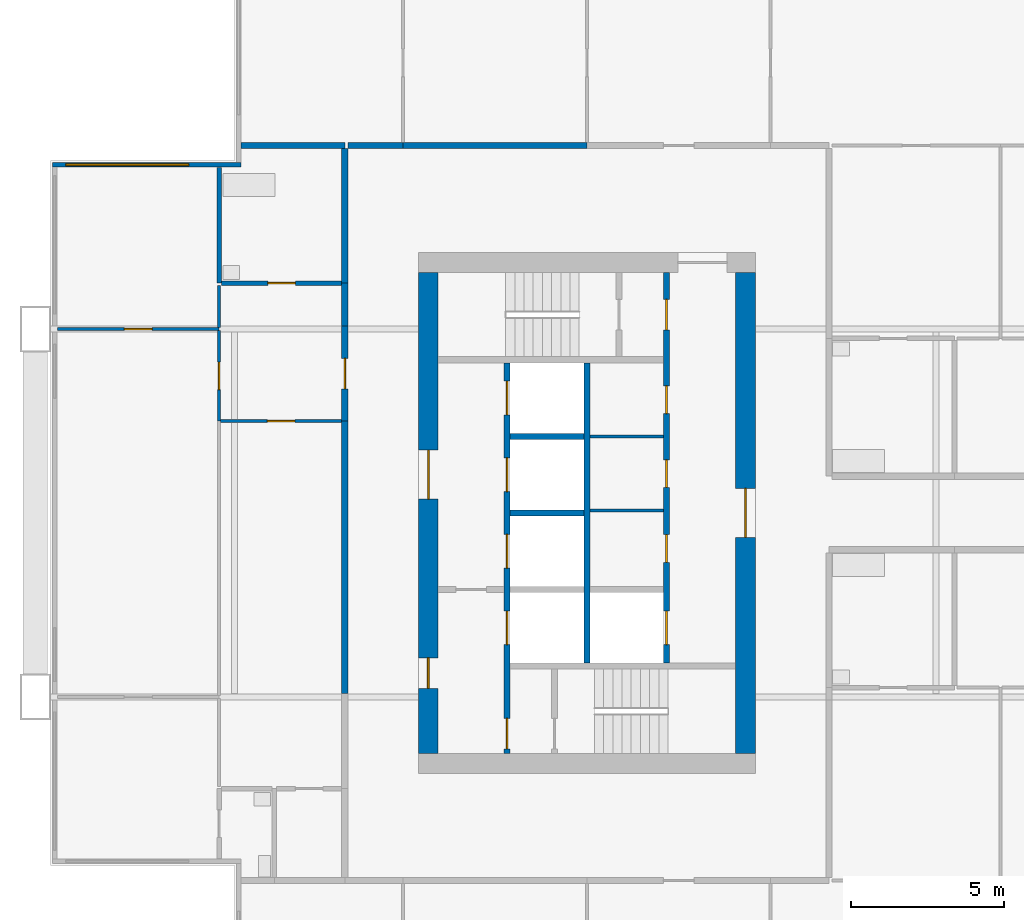
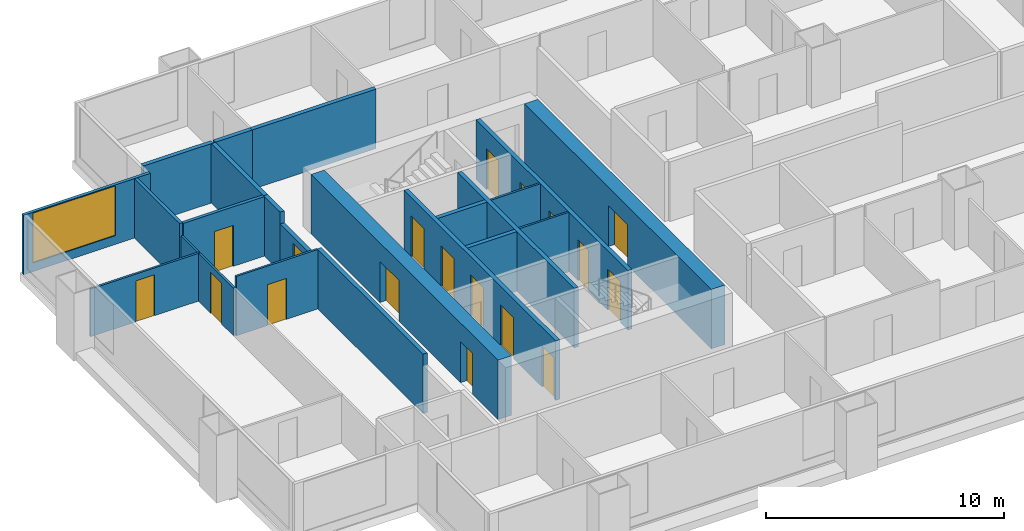
# One storey, part 3 of 10: 23 walls, 18 doors, 1 window, 19 openings.
"""IFC4 building model written with IfcOpenShell, lengths in metres."""

from ifc_helpers import new_model, si_unit, direction, frame, frame_2d, origin, place, context, subcontext, project, spatial, rectangle, extrude, material, layer, layer_set, type_object, element, fill, save


model = new_model("IFC4")

# Units and contexts
model_context = context("Model", 3, precision=1e-05, world=origin(), true_north=direction((0.0, 1.0)))
body_context = subcontext(model_context, "Body", "Model", "MODEL_VIEW")
ifc_project = project(units=[si_unit("LENGTHUNIT", "METRE"), si_unit("AREAUNIT", "SQUARE_METRE"), si_unit("VOLUMEUNIT", "CUBIC_METRE"), si_unit("PLANEANGLEUNIT", "RADIAN"), si_unit("MASSUNIT", "GRAM", prefix="KILO")], contexts=[model_context])

# Site, building, storey
site_placement = place(None, origin())
site = spatial("IfcSite", under=ifc_project, at=site_placement, CompositionType="ELEMENT")
building_placement = place(site_placement, origin())
building = spatial("IfcBuilding", under=site, at=building_placement, Name="Kitamizu Gate Tower and Museum", CompositionType="ELEMENT")
storey_placement = place(building_placement, frame((0.0, 0.0, 117.300048828125)))
storey = spatial("IfcBuildingStorey", under=building, at=storey_placement, Name="L30", CompositionType="ELEMENT", Elevation=117.300048828125)

# Wall, openings, doors
ifc_material_1 = material(Name="Concrete Fc60", Category="concrete")
ifc_layer_1 = layer(ifc_material_1, 0.64990234375)
ifc_layer_set_1 = layer_set([ifc_layer_1], Name="Concrete Fc60")
wall_type_1 = type_object("IfcWallType", Name="Core wall 650", PredefinedType="SHEAR", material=ifc_layer_set_1)
wall_1_placement = place(storey_placement, frame((12.824951171875, 22.14990234375, 0.0), z_axis=(0.0, 0.0, 1.0), x_axis=(0.0, 1.0, 0.0)))
wall_1 = element("IfcWall", 1, at=wall_1_placement, inside=storey, type_object=wall_type_1, Name="Core wall WOUT", PredefinedType="SHEAR", context=body_context, shape_type="SweptSolid", body=[
    extrude(rectangle(XDim=15.7001953125, YDim=0.64990234375, at=frame_2d((7.85009765625, 0.0))), origin(), (0.0, 0.0, 1.0), 3.050048828125),
])
opening_1_placement = place(wall_1_placement, frame((8.300048828125, 0.0, 0.0)))
opening_1 = element("IfcOpeningElement", 2, at=opening_1_placement, cuts=wall_1, Name="Opening L30-053", PredefinedType="OPENING", context=body_context, shape_type="SweptSolid", body=[
    extrude(rectangle(XDim=1.60009765625, YDim=2.10009765625, at=frame_2d((0.800048828125, 1.050048828125))), frame((0.0, 0.3349609375, 0.0), z_axis=(0.0, -1.0, 0.0), x_axis=(1.0, 0.0, 0.0)), (0.0, 0.0, 1.0), 0.669921875),
])
opening_2_placement = place(wall_1_placement, frame((2.125, 0.0, 0.0)))
opening_2 = element("IfcOpeningElement", 3, at=opening_2_placement, cuts=wall_1, Name="Opening L30-054", PredefinedType="OPENING", context=body_context, shape_type="SweptSolid", body=[
    extrude(rectangle(XDim=1.0, YDim=2.10009765625, at=frame_2d((0.5, 1.050048828125))), frame((0.0, 0.3349609375, 0.0), z_axis=(0.0, -1.0, 0.0), x_axis=(1.0, 0.0, 0.0)), (0.0, 0.0, 1.0), 0.669921875),
])
ifc_material_2 = material(Name="Timber door set", Category="wood")
door_type_1 = type_object("IfcDoorType", Name="Entrance door 1600", OperationType="DOUBLE_DOOR_SINGLE_SWING", PredefinedType="DOOR", material=ifc_material_2)
door_1_placement = place(opening_1_placement, origin())
door_1 = element("IfcDoor", 4, at=door_1_placement, inside=storey, type_object=door_type_1, Name="Lobby door L30-053", OperationType="DOUBLE_DOOR_SINGLE_SWING", OverallHeight=2.10009765625, OverallWidth=1.60009765625, PredefinedType="DOOR", context=body_context, shape_type="SweptSolid", body=[
    extrude(rectangle(XDim=1.60009765625, YDim=2.10009765625, at=frame_2d((0.800048828125, 1.050048828125))), frame((0.0, 0.02490234375, 0.0), z_axis=(0.0, -1.0, 0.0), x_axis=(1.0, 0.0, 0.0)), (0.0, 0.0, 1.0), 0.050048828125),
])
fill(opening_1, door_1)
ifc_material_3 = material(Name="Hollow metal door set")
door_type_2 = type_object("IfcDoorType", Name="Fire door 1000", OperationType="NOTDEFINED", PredefinedType="DOOR", material=ifc_material_3)
door_2_placement = place(opening_2_placement, frame((1.0, 0.0, 0.0), x_axis=(-1.0, 0.0, 0.0)))
door_2 = element("IfcDoor", 5, at=door_2_placement, inside=storey, type_object=door_type_2, Name="Fire-fighting lobby door L30-054", OperationType="SINGLE_SWING_LEFT", OverallHeight=2.10009765625, OverallWidth=1.0, PredefinedType="DOOR", context=body_context, shape_type="SweptSolid", body=[
    extrude(rectangle(XDim=1.0, YDim=2.10009765625, at=frame_2d((0.5, 1.050048828125))), frame((0.0, 0.02490234375, 0.0), z_axis=(0.0, -1.0, 0.0), x_axis=(1.0, 0.0, 0.0)), (0.0, 0.0, 1.0), 0.050048828125),
])
fill(opening_2, door_2)

# Wall, opening, door
wall_2_placement = place(storey_placement, frame((23.175048828125, 22.14990234375, 0.0), z_axis=(0.0, 0.0, 1.0), x_axis=(0.0, 1.0, 0.0)))
wall_2 = element("IfcWall", 6, at=wall_2_placement, inside=storey, type_object=wall_type_1, Name="Core wall WARC", PredefinedType="SHEAR", context=body_context, shape_type="SweptSolid", body=[
    extrude(rectangle(XDim=15.7001953125, YDim=0.64990234375, at=frame_2d((7.85009765625, 0.0))), origin(), (0.0, 0.0, 1.0), 3.050048828125),
])
opening_3_placement = place(wall_2_placement, frame((7.050048828125, 0.0, 0.0)))
opening_3 = element("IfcOpeningElement", 7, at=opening_3_placement, cuts=wall_2, Name="Opening L30-056", PredefinedType="OPENING", context=body_context, shape_type="SweptSolid", body=[
    extrude(rectangle(XDim=1.60009765625, YDim=2.10009765625, at=frame_2d((0.800048828125, 1.050048828125))), frame((0.0, 0.3349609375, 0.0), z_axis=(0.0, -1.0, 0.0), x_axis=(1.0, 0.0, 0.0)), (0.0, 0.0, 1.0), 0.669921875),
])
door_3_placement = place(opening_3_placement, origin())
door_3 = element("IfcDoor", 8, at=door_3_placement, inside=storey, type_object=door_type_1, Name="Lobby door L30-056", OperationType="DOUBLE_DOOR_SINGLE_SWING", OverallHeight=2.10009765625, OverallWidth=1.60009765625, PredefinedType="DOOR", context=body_context, shape_type="SweptSolid", body=[
    extrude(rectangle(XDim=1.60009765625, YDim=2.10009765625, at=frame_2d((0.800048828125, 1.050048828125))), frame((0.0, 0.02490234375, 0.0), z_axis=(0.0, -1.0, 0.0), x_axis=(1.0, 0.0, 0.0)), (0.0, 0.0, 1.0), 0.050048828125),
])
fill(opening_3, door_3)

# Walls
ifc_material_4 = material(Name="Gypsum board on galvanised stud")
ifc_layer_2 = layer(ifc_material_4, 0.10009765625)
ifc_layer_set_2 = layer_set([ifc_layer_2], Name="Gypsum board on galvanised stud")
wall_type_2 = type_object("IfcWallType", Name="Partition 100", PredefinedType="PARTITIONING", material=ifc_layer_set_2)
for number, where, z_axis, x_axis, name in (
    (9, (18.10009765625, 30.08203125, 0.0), (0.0, 0.0, 1.0), (1.0, 0.0, 0.0), "Partition WPF1"),
    (10, (18.10009765625, 32.490966796875, 0.0), (0.0, 0.0, 1.0), (1.0, 0.0, 0.0), "Partition WPF2"),
):
    element("IfcWall", number, at=place(storey_placement, frame(where, z_axis=z_axis, x_axis=x_axis)), inside=storey, type_object=wall_type_2, Name=name, PredefinedType="PARTITIONING", context=body_context, shape_type="SweptSolid", body=[
        extrude(rectangle(XDim=2.39990234375, YDim=0.10009765625, at=frame_2d((1.199951171875, 0.0))), origin(), (0.0, 0.0, 1.0), 3.050048828125),
    ])

# Wall, opening, door
ifc_material_5 = material(Name="Gypsum board on galvanised stud")
ifc_layer_3 = layer(ifc_material_5, 0.10009765625)
ifc_layer_set_3 = layer_set([ifc_layer_3], Name="Gypsum board on galvanised stud")
wall_type_3 = type_object("IfcWallType", Name="Partition 100 NOT RATED", PredefinedType="PARTITIONING", material=ifc_layer_set_3)
wall_3_placement = place(storey_placement, frame((6.0, 36.0, 0.0), z_axis=(0.0, 0.0, 1.0), x_axis=(-1.0, 0.0, 0.0)))
wall_3 = element("IfcWall", 11, at=wall_3_placement, inside=storey, type_object=wall_type_3, Name="Partition L30-037", PredefinedType="PARTITIONING", context=body_context, shape_type="SweptSolid", body=[
    extrude(rectangle(XDim=5.280029296875, YDim=0.10009765625, at=frame_2d((2.64013671875, 0.0))), origin(), (0.0, 0.0, 1.0), 2.449951171875),
])
opening_4_placement = place(wall_3_placement, frame((2.18994140625, 0.0, 0.0)))
opening_4 = element("IfcOpeningElement", 12, at=opening_4_placement, cuts=wall_3, Name="Opening L30-016", PredefinedType="OPENING", context=body_context, shape_type="SweptSolid", body=[
    extrude(rectangle(XDim=0.89990234375, YDim=2.10009765625, at=frame_2d((0.449951171875, 1.050048828125))), frame((0.0, 0.06005859375, 0.0), z_axis=(0.0, -1.0, 0.0), x_axis=(1.0, 0.0, 0.0)), (0.0, 0.0, 1.0), 0.1201171875),
])
ifc_material_6 = material(Name="Timber door set", Category="wood")
door_type_3 = type_object("IfcDoorType", Name="Room door 900", OperationType="NOTDEFINED", PredefinedType="DOOR", material=ifc_material_6)
door_4_placement = place(opening_4_placement, frame((0.89990234375, 0.0, 0.0), x_axis=(-1.0, 0.0, 0.0)))
door_4 = element("IfcDoor", 13, at=door_4_placement, inside=storey, type_object=door_type_3, Name="Door L30-016", OperationType="SINGLE_SWING_RIGHT", OverallHeight=2.10009765625, OverallWidth=0.89990234375, PredefinedType="DOOR", context=body_context, shape_type="SweptSolid", body=[
    extrude(rectangle(XDim=0.89990234375, YDim=2.10009765625, at=frame_2d((0.449951171875, 1.050048828125))), frame((0.0, 0.02490234375, 0.0), z_axis=(0.0, -1.0, 0.0), x_axis=(1.0, 0.0, 0.0)), (0.0, 0.0, 1.0), 0.050048828125),
])
fill(opening_4, door_4)

wall_4_placement = place(storey_placement, frame((6.0, 33.0, 0.0), z_axis=(0.0, 0.0, 1.0), x_axis=(0.0, 1.0, 0.0)))
wall_4 = element("IfcWall", 14, at=wall_4_placement, inside=storey, type_object=wall_type_3, Name="Partition L30-039", PredefinedType="PARTITIONING", context=body_context, shape_type="SweptSolid", body=[
    extrude(rectangle(XDim=2.949951171875, YDim=0.10009765625, at=frame_2d((1.47509765625, 0.0))), origin(), (0.0, 0.0, 1.0), 2.449951171875),
])
opening_5_placement = place(wall_4_placement, frame((1.02490234375, 0.0, 0.0)))
opening_5 = element("IfcOpeningElement", 15, at=opening_5_placement, cuts=wall_4, Name="Opening L30-013", PredefinedType="OPENING", context=body_context, shape_type="SweptSolid", body=[
    extrude(rectangle(XDim=0.89990234375, YDim=2.10009765625, at=frame_2d((0.449951171875, 1.050048828125))), frame((0.0, 0.06005859375, 0.0), z_axis=(0.0, -1.0, 0.0), x_axis=(1.0, 0.0, 0.0)), (0.0, 0.0, 1.0), 0.1201171875),
])
door_5_placement = place(opening_5_placement, origin())
door_5 = element("IfcDoor", 16, at=door_5_placement, inside=storey, type_object=door_type_3, Name="Door L30-013", OperationType="SINGLE_SWING_LEFT", OverallHeight=2.10009765625, OverallWidth=0.89990234375, PredefinedType="DOOR", context=body_context, shape_type="SweptSolid", body=[
    extrude(rectangle(XDim=0.89990234375, YDim=2.10009765625, at=frame_2d((0.449951171875, 1.050048828125))), frame((0.0, 0.02490234375, 0.0), z_axis=(0.0, -1.0, 0.0), x_axis=(1.0, 0.0, 0.0)), (0.0, 0.0, 1.0), 0.050048828125),
])
fill(opening_5, door_5)

# Wall
wall_5_placement = place(storey_placement, frame((6.0, 36.050048828125, 0.0), z_axis=(0.0, 0.0, 1.0), x_axis=(0.0, 1.0, 0.0)))
element("IfcWall", 17, at=wall_5_placement, inside=storey, type_object=wall_type_3, Name="Partition L30-040", PredefinedType="PARTITIONING", context=body_context, shape_type="SweptSolid", body=[
    extrude(rectangle(XDim=1.375, YDim=0.10009765625, at=frame_2d((0.6875, 0.0))), origin(), (0.0, 0.0, 1.0), 2.449951171875),
])

# Wall, opening, door
wall_6_placement = place(storey_placement, frame((10.0, 33.0, 0.0), z_axis=(0.0, 0.0, 1.0), x_axis=(-1.0, 0.0, 0.0)))
wall_6 = element("IfcWall", 18, at=wall_6_placement, inside=storey, type_object=wall_type_3, Name="Partition L30-046", PredefinedType="PARTITIONING", context=body_context, shape_type="SweptSolid", body=[
    extrude(rectangle(XDim=3.949951171875, YDim=0.10009765625, at=frame_2d((1.97509765625, 0.0))), origin(), (0.0, 0.0, 1.0), 3.050048828125),
])
opening_6_placement = place(wall_6_placement, frame((1.52490234375, 0.0, 0.0)))
opening_6 = element("IfcOpeningElement", 19, at=opening_6_placement, cuts=wall_6, Name="Opening L30-014", PredefinedType="OPENING", context=body_context, shape_type="SweptSolid", body=[
    extrude(rectangle(XDim=0.89990234375, YDim=2.10009765625, at=frame_2d((0.449951171875, 1.050048828125))), frame((0.0, 0.06005859375, 0.0), z_axis=(0.0, -1.0, 0.0), x_axis=(1.0, 0.0, 0.0)), (0.0, 0.0, 1.0), 0.1201171875),
])
door_6_placement = place(opening_6_placement, frame((0.89990234375, 0.0, 0.0), x_axis=(-1.0, 0.0, 0.0)))
door_6 = element("IfcDoor", 20, at=door_6_placement, inside=storey, type_object=door_type_3, Name="Door L30-014", OperationType="SINGLE_SWING_RIGHT", OverallHeight=2.10009765625, OverallWidth=0.89990234375, PredefinedType="DOOR", context=body_context, shape_type="SweptSolid", body=[
    extrude(rectangle(XDim=0.89990234375, YDim=2.10009765625, at=frame_2d((0.449951171875, 1.050048828125))), frame((0.0, 0.02490234375, 0.0), z_axis=(0.0, -1.0, 0.0), x_axis=(1.0, 0.0, 0.0)), (0.0, 0.0, 1.0), 0.050048828125),
])
fill(opening_6, door_6)

# Wall
ifc_material_7 = material(Name="Gypsum board on galvanised stud")
ifc_layer_4 = layer(ifc_material_7, 0.14990234375)
ifc_layer_set_4 = layer_set([ifc_layer_4], Name="Gypsum board on galvanised stud")
wall_type_4 = type_object("IfcWallType", Name="Partition 150", PredefinedType="PARTITIONING", material=ifc_layer_set_4)
wall_7_placement = place(storey_placement, frame((6.0, 37.5, 0.0), z_axis=(0.0, 0.0, 1.0), x_axis=(0.0, 1.0, 0.0)))
element("IfcWall", 21, at=wall_7_placement, inside=storey, type_object=wall_type_4, Name="Partition L30-041", PredefinedType="PARTITIONING", context=body_context, shape_type="SweptSolid", body=[
    extrude(rectangle(XDim=3.780029296875, YDim=0.14990234375, at=frame_2d((1.89013671875, 0.0))), origin(), (0.0, 0.0, 1.0), 3.050048828125),
])

# Wall, opening, door
wall_8_placement = place(storey_placement, frame((10.0, 37.5, 0.0), z_axis=(0.0, 0.0, 1.0), x_axis=(-1.0, 0.0, 0.0)))
wall_8 = element("IfcWall", 22, at=wall_8_placement, inside=storey, type_object=wall_type_4, Name="Partition L30-049", PredefinedType="PARTITIONING", context=body_context, shape_type="SweptSolid", body=[
    extrude(rectangle(XDim=3.925048828125, YDim=0.14990234375, at=frame_2d((1.96240234375, 0.0))), origin(), (0.0, 0.0, 1.0), 3.050048828125),
])
opening_7_placement = place(wall_8_placement, frame((1.512451171875, 0.0, 0.0)))
opening_7 = element("IfcOpeningElement", 23, at=opening_7_placement, cuts=wall_8, Name="Opening L30-019", PredefinedType="OPENING", context=body_context, shape_type="SweptSolid", body=[
    extrude(rectangle(XDim=0.89990234375, YDim=2.10009765625, at=frame_2d((0.449951171875, 1.050048828125))), frame((0.0, 0.0849609375, 0.0), z_axis=(0.0, -1.0, 0.0), x_axis=(1.0, 0.0, 0.0)), (0.0, 0.0, 1.0), 0.169921875),
])
ifc_material_8 = material(Name="Timber door set", Category="wood")
door_type_4 = type_object("IfcDoorType", Name="Bathroom door 900", OperationType="NOTDEFINED", PredefinedType="DOOR", material=ifc_material_8)
door_7_placement = place(opening_7_placement, frame((0.89990234375, 0.0, 0.0), x_axis=(-1.0, 0.0, 0.0)))
door_7 = element("IfcDoor", 24, at=door_7_placement, inside=storey, type_object=door_type_4, Name="Bathroom door L30-019", OperationType="SINGLE_SWING_LEFT", OverallHeight=2.10009765625, OverallWidth=0.89990234375, PredefinedType="DOOR", context=body_context, shape_type="SweptSolid", body=[
    extrude(rectangle(XDim=0.89990234375, YDim=2.10009765625, at=frame_2d((0.449951171875, 1.050048828125))), frame((0.0, 0.02490234375, 0.0), z_axis=(0.0, -1.0, 0.0), x_axis=(1.0, 0.0, 0.0)), (0.0, 0.0, 1.0), 0.050048828125),
])
fill(opening_7, door_7)

# Wall
ifc_material_9 = material(Name="Gypsum board on galvanised stud")
ifc_layer_5 = layer(ifc_material_9, 0.199951171875)
ifc_layer_set_5 = layer_set([ifc_layer_5], Name="Gypsum board on galvanised stud")
wall_type_5 = type_object("IfcWallType", Name="Partition 200", PredefinedType="PARTITIONING", material=ifc_layer_set_5)
wall_9_placement = place(storey_placement, frame((10.10009765625, 24.10009765625, 0.0), z_axis=(0.0, 0.0, 1.0), x_axis=(0.0, 1.0, 0.0)))
element("IfcWall", 25, at=wall_9_placement, inside=storey, type_object=wall_type_5, Name="Partition L30-048", PredefinedType="PARTITIONING", context=body_context, shape_type="SweptSolid", body=[
    extrude(rectangle(XDim=8.89990234375, YDim=0.199951171875, at=frame_2d((4.449951171875, 0.0))), origin(), (0.0, 0.0, 1.0), 3.050048828125),
])

# Wall, opening, door
wall_10_placement = place(storey_placement, frame((10.10009765625, 33.0, 0.0), z_axis=(0.0, 0.0, 1.0), x_axis=(0.0, 1.0, 0.0)))
wall_10 = element("IfcWall", 26, at=wall_10_placement, inside=storey, type_object=wall_type_5, Name="Partition L30-050", PredefinedType="PARTITIONING", context=body_context, shape_type="SweptSolid", body=[
    extrude(rectangle(XDim=3.10009765625, YDim=0.199951171875, at=frame_2d((1.550048828125, 0.0))), origin(), (0.0, 0.0, 1.0), 2.449951171875),
])
opening_8_placement = place(wall_10_placement, frame((1.050048828125, 0.0, 0.0)))
opening_8 = element("IfcOpeningElement", 27, at=opening_8_placement, cuts=wall_10, Name="Opening L30-012", PredefinedType="OPENING", context=body_context, shape_type="SweptSolid", body=[
    extrude(rectangle(XDim=1.0, YDim=2.10009765625, at=frame_2d((0.5, 1.050048828125))), frame((0.0, 0.10986328125, 0.0), z_axis=(0.0, -1.0, 0.0), x_axis=(1.0, 0.0, 0.0)), (0.0, 0.0, 1.0), 0.219970703125),
])
ifc_material_10 = material(Name="Timber door set", Category="wood")
door_type_5 = type_object("IfcDoorType", Name="Flat entrance door 1000", OperationType="NOTDEFINED", PredefinedType="DOOR", material=ifc_material_10)
door_8_placement = place(opening_8_placement, origin())
door_8 = element("IfcDoor", 28, at=door_8_placement, inside=storey, type_object=door_type_5, Name="Flat entrance door L30-012", OperationType="SINGLE_SWING_RIGHT", OverallHeight=2.10009765625, OverallWidth=1.0, PredefinedType="DOOR", context=body_context, shape_type="SweptSolid", body=[
    extrude(rectangle(XDim=1.0, YDim=2.10009765625, at=frame_2d((0.5, 1.050048828125))), frame((0.0, 0.02490234375, 0.0), z_axis=(0.0, -1.0, 0.0), x_axis=(1.0, 0.0, 0.0)), (0.0, 0.0, 1.0), 0.050048828125),
])
fill(opening_8, door_8)

# Walls
wall_11_placement = place(storey_placement, frame((10.10009765625, 36.10009765625, 0.0), z_axis=(0.0, 0.0, 1.0), x_axis=(0.0, 1.0, 0.0)))
element("IfcWall", 29, at=wall_11_placement, inside=storey, type_object=wall_type_5, Name="Partition L30-051", PredefinedType="PARTITIONING", context=body_context, shape_type="SweptSolid", body=[
    extrude(rectangle(XDim=1.39990234375, YDim=0.199951171875, at=frame_2d((0.699951171875, 0.0))), origin(), (0.0, 0.0, 1.0), 3.050048828125),
])
wall_12_placement = place(storey_placement, frame((10.10009765625, 42.0, 0.0), z_axis=(0.0, 0.0, 1.0), x_axis=(-1.0, 0.0, 0.0)))
element("IfcWall", 30, at=wall_12_placement, inside=storey, type_object=wall_type_5, Name="Partition L30-052", PredefinedType="PARTITIONING", context=body_context, shape_type="SweptSolid", body=[
    extrude(rectangle(XDim=3.380126953125, YDim=0.199951171875, at=frame_2d((1.68994140625, 0.0))), origin(), (0.0, 0.0, 1.0), 3.050048828125),
])
wall_13_placement = place(storey_placement, frame((10.10009765625, 37.5, 0.0), z_axis=(0.0, 0.0, 1.0), x_axis=(0.0, 1.0, 0.0)))
element("IfcWall", 31, at=wall_13_placement, inside=storey, type_object=wall_type_5, Name="Partition L30-053", PredefinedType="PARTITIONING", context=body_context, shape_type="SweptSolid", body=[
    extrude(rectangle(XDim=4.39990234375, YDim=0.199951171875, at=frame_2d((2.199951171875, 0.0))), origin(), (0.0, 0.0, 1.0), 3.050048828125),
])
wall_14_placement = place(storey_placement, frame((10.199951171875, 42.0, 0.0), z_axis=(0.0, 0.0, 1.0), x_axis=(1.0, 0.0, 0.0)))
element("IfcWall", 32, at=wall_14_placement, inside=storey, type_object=wall_type_5, Name="Partition L30-055", PredefinedType="PARTITIONING", context=body_context, shape_type="SweptSolid", body=[
    extrude(rectangle(XDim=1.800048828125, YDim=0.199951171875, at=frame_2d((0.89990234375, 0.0))), origin(), (0.0, 0.0, 1.0), 3.050048828125),
])
wall_15_placement = place(storey_placement, frame((12.0, 42.0, 0.0), z_axis=(0.0, 0.0, 1.0), x_axis=(1.0, 0.0, 0.0)))
element("IfcWall", 33, at=wall_15_placement, inside=storey, type_object=wall_type_5, Name="Partition L30-057", PredefinedType="PARTITIONING", context=body_context, shape_type="SweptSolid", body=[
    extrude(rectangle(XDim=6.0, YDim=0.199951171875, at=frame_2d((3.0, 0.0))), origin(), (0.0, 0.0, 1.0), 3.050048828125),
])

# Wall, openings, doors
ifc_material_11 = material(Name="Concrete Fc42", Category="concrete")
ifc_layer_6 = layer(ifc_material_11, 0.199951171875)
ifc_layer_set_6 = layer_set([ifc_layer_6], Name="Concrete Fc42")
wall_type_6 = type_object("IfcWallType", Name="Shaft wall 200", PredefinedType="SOLIDWALL", material=ifc_layer_set_6)
wall_16_placement = place(storey_placement, frame((15.39990234375, 22.14990234375, 0.0), z_axis=(0.0, 0.0, 1.0), x_axis=(0.0, 1.0, 0.0)))
wall_16 = element("IfcWall", 34, at=wall_16_placement, inside=storey, type_object=wall_type_6, Name="Shaft wall WWEST", PredefinedType="SOLIDWALL", context=body_context, shape_type="SweptSolid", body=[
    extrude(rectangle(XDim=12.75, YDim=0.199951171875, at=frame_2d((6.375, 0.0))), origin(), (0.0, 0.0, 1.0), 3.050048828125),
])
opening_9_placement = place(wall_16_placement, frame((3.550048828125, 0.0, 0.0)))
opening_9 = element("IfcOpeningElement", 35, at=opening_9_placement, cuts=wall_16, Name="Opening LD", PredefinedType="OPENING", context=body_context, shape_type="SweptSolid", body=[
    extrude(rectangle(XDim=1.10009765625, YDim=2.10009765625, at=frame_2d((0.550048828125, 1.050048828125))), frame((0.0, 0.10986328125, 0.0), z_axis=(0.0, -1.0, 0.0), x_axis=(1.0, 0.0, 0.0)), (0.0, 0.0, 1.0), 0.219970703125),
])
opening_10_placement = place(wall_16_placement, frame((6.050048828125, 0.0, 0.0)))
opening_10 = element("IfcOpeningElement", 36, at=opening_10_placement, cuts=wall_16, Name="Opening LD", PredefinedType="OPENING", context=body_context, shape_type="SweptSolid", body=[
    extrude(rectangle(XDim=1.10009765625, YDim=2.10009765625, at=frame_2d((0.550048828125, 1.050048828125))), frame((0.0, 0.10986328125, 0.0), z_axis=(0.0, -1.0, 0.0), x_axis=(1.0, 0.0, 0.0)), (0.0, 0.0, 1.0), 0.219970703125),
])
opening_11_placement = place(wall_16_placement, frame((8.550048828125, 0.0, 0.0)))
opening_11 = element("IfcOpeningElement", 37, at=opening_11_placement, cuts=wall_16, Name="Opening LD", PredefinedType="OPENING", context=body_context, shape_type="SweptSolid", body=[
    extrude(rectangle(XDim=1.10009765625, YDim=2.10009765625, at=frame_2d((0.550048828125, 1.050048828125))), frame((0.0, 0.10986328125, 0.0), z_axis=(0.0, -1.0, 0.0), x_axis=(1.0, 0.0, 0.0)), (0.0, 0.0, 1.0), 0.219970703125),
])
opening_12_placement = place(wall_16_placement, frame((11.050048828125, 0.0, 0.0)))
opening_12 = element("IfcOpeningElement", 38, at=opening_12_placement, cuts=wall_16, Name="Opening LD", PredefinedType="OPENING", context=body_context, shape_type="SweptSolid", body=[
    extrude(rectangle(XDim=1.10009765625, YDim=2.10009765625, at=frame_2d((0.550048828125, 1.050048828125))), frame((0.0, 0.10986328125, 0.0), z_axis=(0.0, -1.0, 0.0), x_axis=(1.0, 0.0, 0.0)), (0.0, 0.0, 1.0), 0.219970703125),
])
opening_13_placement = place(wall_16_placement, frame((0.14990234375, 0.0, 0.0)))
opening_13 = element("IfcOpeningElement", 39, at=opening_13_placement, cuts=wall_16, Name="Opening L30-049", PredefinedType="OPENING", context=body_context, shape_type="SweptSolid", body=[
    extrude(rectangle(XDim=1.0, YDim=2.10009765625, at=frame_2d((0.5, 1.050048828125))), frame((0.0, 0.10986328125, 0.0), z_axis=(0.0, -1.0, 0.0), x_axis=(1.0, 0.0, 0.0)), (0.0, 0.0, 1.0), 0.219970703125),
])
door_9_placement = place(opening_13_placement, frame((1.0, 0.0, 0.0), x_axis=(-1.0, 0.0, 0.0)))
door_9 = element("IfcDoor", 40, at=door_9_placement, inside=storey, type_object=door_type_2, Name="Stair lobby door L30-049", OperationType="SINGLE_SWING_LEFT", OverallHeight=2.10009765625, OverallWidth=1.0, PredefinedType="DOOR", context=body_context, shape_type="SweptSolid", body=[
    extrude(rectangle(XDim=1.0, YDim=2.10009765625, at=frame_2d((0.5, 1.050048828125))), frame((0.0, 0.02490234375, 0.0), z_axis=(0.0, -1.0, 0.0), x_axis=(1.0, 0.0, 0.0)), (0.0, 0.0, 1.0), 0.050048828125),
])
fill(opening_13, door_9)
ifc_material_12 = material(Name="Hollow metal door set")
door_type_6 = type_object("IfcDoorType", Name="Landing door 1100", OperationType="SLIDING_TO_LEFT", PredefinedType="DOOR", material=ifc_material_12)
door_10_placement = place(opening_9_placement, origin())
door_10 = element("IfcDoor", 41, at=door_10_placement, inside=storey, type_object=door_type_6, Name="Landing door WFF1", OperationType="SLIDING_TO_LEFT", OverallHeight=2.10009765625, OverallWidth=1.10009765625, PredefinedType="DOOR", context=body_context, shape_type="SweptSolid", body=[
    extrude(rectangle(XDim=1.10009765625, YDim=2.10009765625, at=frame_2d((0.550048828125, 1.050048828125))), frame((0.0, 0.02490234375, 0.0), z_axis=(0.0, -1.0, 0.0), x_axis=(1.0, 0.0, 0.0)), (0.0, 0.0, 1.0), 0.050048828125),
])
fill(opening_9, door_10)
door_11_placement = place(opening_10_placement, origin())
door_11 = element("IfcDoor", 42, at=door_11_placement, inside=storey, type_object=door_type_6, Name="Landing door WL1", OperationType="SLIDING_TO_LEFT", OverallHeight=2.10009765625, OverallWidth=1.10009765625, PredefinedType="DOOR", context=body_context, shape_type="SweptSolid", body=[
    extrude(rectangle(XDim=1.10009765625, YDim=2.10009765625, at=frame_2d((0.550048828125, 1.050048828125))), frame((0.0, 0.02490234375, 0.0), z_axis=(0.0, -1.0, 0.0), x_axis=(1.0, 0.0, 0.0)), (0.0, 0.0, 1.0), 0.050048828125),
])
fill(opening_10, door_11)
door_12_placement = place(opening_11_placement, origin())
door_12 = element("IfcDoor", 43, at=door_12_placement, inside=storey, type_object=door_type_6, Name="Landing door WL2", OperationType="SLIDING_TO_LEFT", OverallHeight=2.10009765625, OverallWidth=1.10009765625, PredefinedType="DOOR", context=body_context, shape_type="SweptSolid", body=[
    extrude(rectangle(XDim=1.10009765625, YDim=2.10009765625, at=frame_2d((0.550048828125, 1.050048828125))), frame((0.0, 0.02490234375, 0.0), z_axis=(0.0, -1.0, 0.0), x_axis=(1.0, 0.0, 0.0)), (0.0, 0.0, 1.0), 0.050048828125),
])
fill(opening_11, door_12)
door_13_placement = place(opening_12_placement, origin())
door_13 = element("IfcDoor", 44, at=door_13_placement, inside=storey, type_object=door_type_6, Name="Landing door WL3", OperationType="SLIDING_TO_LEFT", OverallHeight=2.10009765625, OverallWidth=1.10009765625, PredefinedType="DOOR", context=body_context, shape_type="SweptSolid", body=[
    extrude(rectangle(XDim=1.10009765625, YDim=2.10009765625, at=frame_2d((0.550048828125, 1.050048828125))), frame((0.0, 0.02490234375, 0.0), z_axis=(0.0, -1.0, 0.0), x_axis=(1.0, 0.0, 0.0)), (0.0, 0.0, 1.0), 0.050048828125),
])
fill(opening_12, door_13)

wall_17_placement = place(storey_placement, frame((20.60009765625, 25.10009765625, 0.0), z_axis=(0.0, 0.0, 1.0), x_axis=(0.0, 1.0, 0.0)))
wall_17 = element("IfcWall", 45, at=wall_17_placement, inside=storey, type_object=wall_type_6, Name="Shaft wall WEAST", PredefinedType="SOLIDWALL", context=body_context, shape_type="SweptSolid", body=[
    extrude(rectangle(XDim=12.75, YDim=0.199951171875, at=frame_2d((6.375, 0.0))), origin(), (0.0, 0.0, 1.0), 3.050048828125),
])
opening_14_placement = place(wall_17_placement, frame((0.60009765625, 0.0, 0.0)))
opening_14 = element("IfcOpeningElement", 46, at=opening_14_placement, cuts=wall_17, Name="Opening LD", PredefinedType="OPENING", context=body_context, shape_type="SweptSolid", body=[
    extrude(rectangle(XDim=1.10009765625, YDim=2.10009765625, at=frame_2d((0.550048828125, 1.050048828125))), frame((0.0, 0.10986328125, 0.0), z_axis=(0.0, -1.0, 0.0), x_axis=(1.0, 0.0, 0.0)), (0.0, 0.0, 1.0), 0.219970703125),
])
opening_15_placement = place(wall_17_placement, frame((10.875, 0.0, 0.0)))
opening_15 = element("IfcOpeningElement", 47, at=opening_15_placement, cuts=wall_17, Name="Opening L30-050", PredefinedType="OPENING", context=body_context, shape_type="SweptSolid", body=[
    extrude(rectangle(XDim=1.0, YDim=2.10009765625, at=frame_2d((0.5, 1.050048828125))), frame((0.0, 0.10986328125, 0.0), z_axis=(0.0, -1.0, 0.0), x_axis=(1.0, 0.0, 0.0)), (0.0, 0.0, 1.0), 0.219970703125),
])
opening_16_placement = place(wall_17_placement, frame((3.291015625, 0.0, 0.0)))
opening_16 = element("IfcOpeningElement", 48, at=opening_16_placement, cuts=wall_17, Name="Opening L30-057", PredefinedType="OPENING", context=body_context, shape_type="SweptSolid", body=[
    extrude(rectangle(XDim=0.89990234375, YDim=2.10009765625, at=frame_2d((0.449951171875, 1.050048828125))), frame((0.0, 0.10986328125, 0.0), z_axis=(0.0, -1.0, 0.0), x_axis=(1.0, 0.0, 0.0)), (0.0, 0.0, 1.0), 0.219970703125),
])
opening_17_placement = place(wall_17_placement, frame((5.736572265625, 0.0, 0.0)))
opening_17 = element("IfcOpeningElement", 49, at=opening_17_placement, cuts=wall_17, Name="Opening L30-058", PredefinedType="OPENING", context=body_context, shape_type="SweptSolid", body=[
    extrude(rectangle(XDim=0.89990234375, YDim=2.10009765625, at=frame_2d((0.449951171875, 1.050048828125))), frame((0.0, 0.10986328125, 0.0), z_axis=(0.0, -1.0, 0.0), x_axis=(1.0, 0.0, 0.0)), (0.0, 0.0, 1.0), 0.219970703125),
])
opening_18_placement = place(wall_17_placement, frame((8.1455078125, 0.0, 0.0)))
opening_18 = element("IfcOpeningElement", 50, at=opening_18_placement, cuts=wall_17, Name="Opening L30-059", PredefinedType="OPENING", context=body_context, shape_type="SweptSolid", body=[
    extrude(rectangle(XDim=0.89990234375, YDim=2.10009765625, at=frame_2d((0.449951171875, 1.050048828125))), frame((0.0, 0.10986328125, 0.0), z_axis=(0.0, -1.0, 0.0), x_axis=(1.0, 0.0, 0.0)), (0.0, 0.0, 1.0), 0.219970703125),
])
door_14_placement = place(opening_15_placement, origin())
door_14 = element("IfcDoor", 51, at=door_14_placement, inside=storey, type_object=door_type_2, Name="Stair lobby door L30-050", OperationType="SINGLE_SWING_LEFT", OverallHeight=2.10009765625, OverallWidth=1.0, PredefinedType="DOOR", context=body_context, shape_type="SweptSolid", body=[
    extrude(rectangle(XDim=1.0, YDim=2.10009765625, at=frame_2d((0.5, 1.050048828125))), frame((0.0, 0.02490234375, 0.0), z_axis=(0.0, -1.0, 0.0), x_axis=(1.0, 0.0, 0.0)), (0.0, 0.0, 1.0), 0.050048828125),
])
fill(opening_15, door_14)
door_15_placement = place(opening_14_placement, origin())
door_15 = element("IfcDoor", 52, at=door_15_placement, inside=storey, type_object=door_type_6, Name="Landing door WSV1", OperationType="SLIDING_TO_LEFT", OverallHeight=2.10009765625, OverallWidth=1.10009765625, PredefinedType="DOOR", context=body_context, shape_type="SweptSolid", body=[
    extrude(rectangle(XDim=1.10009765625, YDim=2.10009765625, at=frame_2d((0.550048828125, 1.050048828125))), frame((0.0, 0.02490234375, 0.0), z_axis=(0.0, -1.0, 0.0), x_axis=(1.0, 0.0, 0.0)), (0.0, 0.0, 1.0), 0.050048828125),
])
fill(opening_14, door_15)
ifc_material_13 = material(Name="Timber door set", Category="wood")
door_type_7 = type_object("IfcDoorType", Name="Service door 900", OperationType="NOTDEFINED", PredefinedType="DOOR", material=ifc_material_13)
door_16_placement = place(opening_16_placement, origin())
door_16 = element("IfcDoor", 53, at=door_16_placement, inside=storey, type_object=door_type_7, Name="Service door L30-057", OperationType="SINGLE_SWING_LEFT", OverallHeight=2.10009765625, OverallWidth=0.89990234375, PredefinedType="DOOR", context=body_context, shape_type="SweptSolid", body=[
    extrude(rectangle(XDim=0.89990234375, YDim=2.10009765625, at=frame_2d((0.449951171875, 1.050048828125))), frame((0.0, 0.02490234375, 0.0), z_axis=(0.0, -1.0, 0.0), x_axis=(1.0, 0.0, 0.0)), (0.0, 0.0, 1.0), 0.050048828125),
])
fill(opening_16, door_16)
door_17_placement = place(opening_17_placement, origin())
door_17 = element("IfcDoor", 54, at=door_17_placement, inside=storey, type_object=door_type_7, Name="Service door L30-058", OperationType="SINGLE_SWING_RIGHT", OverallHeight=2.10009765625, OverallWidth=0.89990234375, PredefinedType="DOOR", context=body_context, shape_type="SweptSolid", body=[
    extrude(rectangle(XDim=0.89990234375, YDim=2.10009765625, at=frame_2d((0.449951171875, 1.050048828125))), frame((0.0, 0.02490234375, 0.0), z_axis=(0.0, -1.0, 0.0), x_axis=(1.0, 0.0, 0.0)), (0.0, 0.0, 1.0), 0.050048828125),
])
fill(opening_17, door_17)
door_18_placement = place(opening_18_placement, origin())
door_18 = element("IfcDoor", 55, at=door_18_placement, inside=storey, type_object=door_type_7, Name="Service door L30-059", OperationType="SINGLE_SWING_LEFT", OverallHeight=2.10009765625, OverallWidth=0.89990234375, PredefinedType="DOOR", context=body_context, shape_type="SweptSolid", body=[
    extrude(rectangle(XDim=0.89990234375, YDim=2.10009765625, at=frame_2d((0.449951171875, 1.050048828125))), frame((0.0, 0.02490234375, 0.0), z_axis=(0.0, -1.0, 0.0), x_axis=(1.0, 0.0, 0.0)), (0.0, 0.0, 1.0), 0.050048828125),
])
fill(opening_18, door_18)

# Walls
wall_18_placement = place(storey_placement, frame((18.0, 25.10009765625, 0.0), z_axis=(0.0, 0.0, 1.0), x_axis=(0.0, 1.0, 0.0)))
element("IfcWall", 56, at=wall_18_placement, inside=storey, type_object=wall_type_6, Name="Shaft wall WMID", PredefinedType="SOLIDWALL", context=body_context, shape_type="SweptSolid", body=[
    extrude(rectangle(XDim=9.7998046875, YDim=0.199951171875, at=frame_2d((4.89990234375, 0.0))), origin(), (0.0, 0.0, 1.0), 3.050048828125),
])
for number, where, z_axis, x_axis, name in (
    (57, (15.5, 30.0, 0.0), (0.0, 0.0, 1.0), (1.0, 0.0, 0.0), "Shaft wall WDVW1"),
    (58, (15.5, 32.5, 0.0), (0.0, 0.0, 1.0), (1.0, 0.0, 0.0), "Shaft wall WDVW2"),
):
    element("IfcWall", number, at=place(storey_placement, frame(where, z_axis=z_axis, x_axis=x_axis)), inside=storey, type_object=wall_type_6, Name=name, PredefinedType="SOLIDWALL", context=body_context, shape_type="SweptSolid", body=[
        extrude(rectangle(XDim=2.39990234375, YDim=0.199951171875, at=frame_2d((1.199951171875, 0.0))), origin(), (0.0, 0.0, 1.0), 3.050048828125),
    ])

# Wall, opening, window
ifc_material_14 = material(Name="Bronze anodised aluminium frame with insulated spandrel and tinted glass", Category="aluminium")
ifc_layer_7 = layer(ifc_material_14, 0.14990234375)
ifc_layer_set_7 = layer_set([ifc_layer_7], Name="Bronze anodised aluminium frame with insulated spandrel and tinted glass")
wall_type_7 = type_object("IfcWallType", Name="WINDOW WALL 150 BRONZE FRAME EI 30", PredefinedType="ELEMENTEDWALL", material=ifc_layer_set_7)
wall_19_placement = place(storey_placement, frame((0.56005859375, 41.364990234375, 0.0), z_axis=(0.0, 0.0, 1.0), x_axis=(1.0, 0.0, 0.0)))
wall_19 = element("IfcWall", 59, at=wall_19_placement, inside=storey, type_object=wall_type_7, Name="Window wall north L30", PredefinedType="ELEMENTEDWALL", context=body_context, shape_type="SweptSolid", body=[
    extrude(rectangle(XDim=6.14990234375, YDim=0.14990234375, at=frame_2d((3.074951171875, 0.0))), origin(), (0.0, 0.0, 1.0), 3.050048828125),
])
opening_19_placement = place(wall_19_placement, frame((0.43994140625, 0.0, 0.449951171875)))
opening_19 = element("IfcOpeningElement", 60, at=opening_19_placement, cuts=wall_19, Name="Opening W16", PredefinedType="OPENING", context=body_context, shape_type="SweptSolid", body=[
    extrude(rectangle(XDim=4.0, YDim=2.550048828125, at=frame_2d((2.0, 1.27490234375))), frame((0.0, 0.0849609375, 0.0), z_axis=(0.0, -1.0, 0.0), x_axis=(1.0, 0.0, 0.0)), (0.0, 0.0, 1.0), 0.169921875),
])
ifc_material_15 = material(Name="Bronze anodised aluminium frame, tinted triple glazing", Category="aluminium")
window_type = type_object("IfcWindowType", Name="WINDOW 4000 x 2550 SILL 450", PartitioningType="SINGLE_PANEL", PredefinedType="WINDOW", material=ifc_material_15)
window_placement = place(opening_19_placement, origin())
window = element("IfcWindow", 61, at=window_placement, inside=storey, type_object=window_type, Name="Window W16 L30", OverallHeight=2.550048828125, OverallWidth=4.0, PartitioningType="SINGLE_PANEL", PredefinedType="WINDOW", context=body_context, shape_type="SweptSolid", body=[
    extrude(rectangle(XDim=4.0, YDim=2.550048828125, at=frame_2d((2.0, 1.27490234375))), frame((0.0, 0.030029296875, 0.0), z_axis=(0.0, -1.0, 0.0), x_axis=(1.0, 0.0, 0.0)), (0.0, 0.0, 1.0), 0.06005859375),
])
fill(opening_19, window)

save(model, "model.ifc")
